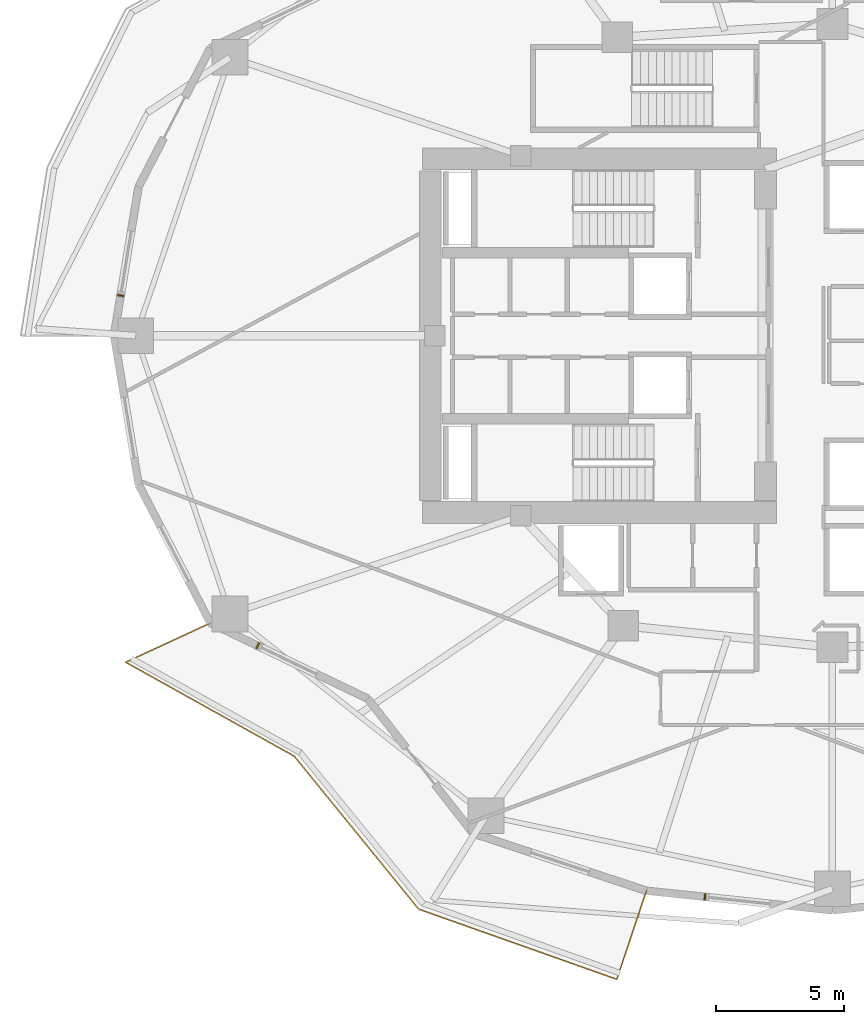
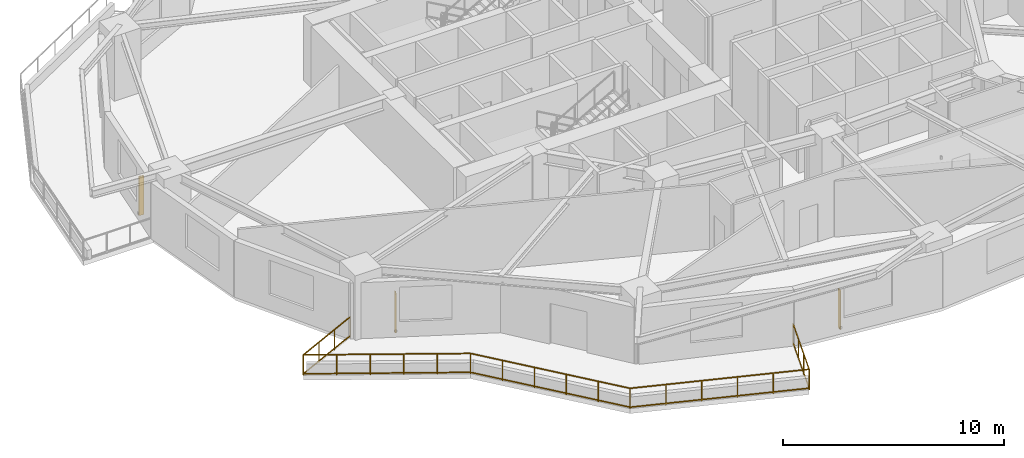
# One storey, part 12 of 16: 3 shading devices, 1 railing.
"""IFC4 building model written with IfcOpenShell, lengths in metres."""

from ifc_helpers import new_model, si_unit, direction, frame, origin, origin_2d, place, context, subcontext, project, spatial, rectangle, extrude, material, type_object, element, save


model = new_model("IFC4")

# Units and contexts
model_context = context("Model", 3, precision=1e-05, world=origin(), true_north=direction((0.0, 1.0)))
body_context = subcontext(model_context, "Body", "Model", "MODEL_VIEW")
ifc_project = project(units=[si_unit("LENGTHUNIT", "METRE"), si_unit("AREAUNIT", "SQUARE_METRE"), si_unit("VOLUMEUNIT", "CUBIC_METRE"), si_unit("PLANEANGLEUNIT", "RADIAN"), si_unit("MASSUNIT", "GRAM", prefix="KILO")], contexts=[model_context])

# Site, building, storey
site_placement = place(None, origin())
site = spatial("IfcSite", under=ifc_project, at=site_placement, CompositionType="ELEMENT")
building_placement = place(site_placement, origin())
building = spatial("IfcBuilding", under=site, at=building_placement, Name="Kolvaren Gate Tower and Convention Centre", CompositionType="ELEMENT")
storey_placement = place(building_placement, frame((0.0, 0.0, 34.199951171875)))
storey = spatial("IfcBuildingStorey", under=building, at=storey_placement, Name="L07", CompositionType="ELEMENT", Elevation=34.199951171875)

# Railing
ifc_material_1 = material(Name="Brushed Stainless Steel Grade 316L", Category="steel")
railing_type = type_object("IfcRailingType", Name="ARCH-RL-GUARD-1150", PredefinedType="GUARDRAIL", material=ifc_material_1)
railing_placement = place(storey_placement, frame((5.76806640625, 15.75, 0.0)))
element("IfcRailing", 1, at=railing_placement, inside=storey, type_object=railing_type, Name="Tower L07 Terrace Perimeter Guardrail GR-3", PredefinedType="GUARDRAIL", context=body_context, shape_type="SweptSolid", body=[
    extrude(rectangle(XDim=0.048095703125, YDim=0.048095703125, at=origin_2d()), frame((-0.025390625, -0.01171875, 1.1259765625), z_axis=(-0.907846116663, -0.419303503993, 0.0), x_axis=(0.419303503993, -0.907846116663, 0.0)), (0.0, 0.0, 1.0), 3.60400390625),
    extrude(rectangle(XDim=0.048095703125, YDim=0.048095703125, at=origin_2d()), frame((-0.025390625, -0.01171875, 0.083984375), z_axis=(-0.907846116663, -0.419303503993, 0.0), x_axis=(0.419303503993, -0.907846116663, 0.0)), (0.0, 0.0, 1.0), 3.60400390625),
    extrude(rectangle(XDim=0.048095703125, YDim=0.048095703125, at=origin_2d()), frame((-3.29833984375, -1.54833984375, 1.1259765625), z_axis=(0.873486390754, -0.486848564923, 0.0), x_axis=(0.486848564923, 0.873486390754, 0.0)), (0.0, 0.0, 1.0), 7.506103515625),
    extrude(rectangle(XDim=0.048095703125, YDim=0.048095703125, at=origin_2d()), frame((-3.29833984375, -1.54833984375, 0.083984375), z_axis=(0.873486390754, -0.486848564923, 0.0), x_axis=(0.486848564923, 0.873486390754, 0.0)), (0.0, 0.0, 1.0), 7.506103515625),
    extrude(rectangle(XDim=0.048095703125, YDim=0.048095703125, at=origin_2d()), frame((3.30029296875, -5.238037109375, 1.1259765625), z_axis=(0.631012936188, -0.775772308324, 0.0), x_axis=(0.775772308324, 0.631012936188, 0.0)), (0.0, 0.0, 1.0), 7.661376953125),
    extrude(rectangle(XDim=0.048095703125, YDim=0.048095703125, at=origin_2d()), frame((3.30029296875, -5.238037109375, 0.083984375), z_axis=(0.631012936188, -0.775772308324, 0.0), x_axis=(0.775772308324, 0.631012936188, 0.0)), (0.0, 0.0, 1.0), 7.661376953125),
    extrude(rectangle(XDim=0.048095703125, YDim=0.048095703125, at=origin_2d()), frame((8.178955078125, -11.212646484375, 1.1259765625), z_axis=(0.942581348797, -0.333976647237, 0.0), x_axis=(0.333976647237, 0.942581348797, 0.0)), (0.0, 0.0, 1.0), 8.179443359375),
    extrude(rectangle(XDim=0.048095703125, YDim=0.048095703125, at=origin_2d()), frame((8.178955078125, -11.212646484375, 0.083984375), z_axis=(0.942581348797, -0.333976647237, 0.0), x_axis=(0.333976647237, 0.942581348797, 0.0)), (0.0, 0.0, 1.0), 8.179443359375),
    extrude(rectangle(XDim=0.048095703125, YDim=0.048095703125, at=origin_2d()), frame((15.924072265625, -13.92724609375, 1.1259765625), z_axis=(0.317588247294, 0.948228719867, 0.0), x_axis=(-0.948228719867, 0.317588247294, 0.0)), (0.0, 0.0, 1.0), 3.603759765625),
    extrude(rectangle(XDim=0.048095703125, YDim=0.048095703125, at=origin_2d()), frame((15.924072265625, -13.92724609375, 0.083984375), z_axis=(0.317588247294, 0.948228719867, 0.0), x_axis=(-0.948228719867, 0.317588247294, 0.0)), (0.0, 0.0, 1.0), 3.603759765625),
    extrude(rectangle(XDim=0.0419921875, YDim=0.0419921875, at=origin_2d()), origin(), (0.0, 0.0, 1.0), 1.14990234375),
    extrude(rectangle(XDim=0.0419921875, YDim=0.0419921875, at=origin_2d()), frame((-3.32275390625, -1.53466796875, 0.0)), (0.0, 0.0, 1.0), 1.14990234375),
    extrude(rectangle(XDim=0.0419921875, YDim=0.0419921875, at=origin_2d()), frame((-1.107666015625, -0.511474609375, 0.0)), (0.0, 0.0, 1.0), 1.099853515625),
    extrude(rectangle(XDim=0.0419921875, YDim=0.0419921875, at=origin_2d()), frame((-2.215087890625, -1.023193359375, 0.0)), (0.0, 0.0, 1.0), 1.099853515625),
    extrude(rectangle(XDim=0.0419921875, YDim=0.0419921875, at=origin_2d()), frame((3.28271484375, -5.21630859375, 0.0)), (0.0, 0.0, 1.0), 1.14990234375),
    extrude(rectangle(XDim=0.0419921875, YDim=0.0419921875, at=origin_2d()), frame((-2.001708984375, -2.27099609375, 0.0)), (0.0, 0.0, 1.0), 1.099853515625),
    extrude(rectangle(XDim=0.0419921875, YDim=0.0419921875, at=origin_2d()), frame((-0.6806640625, -3.00732421875, 0.0)), (0.0, 0.0, 1.0), 1.099853515625),
    extrude(rectangle(XDim=0.0419921875, YDim=0.0419921875, at=origin_2d()), frame((0.640625, -3.74365234375, 0.0)), (0.0, 0.0, 1.0), 1.099853515625),
    extrude(rectangle(XDim=0.0419921875, YDim=0.0419921875, at=origin_2d()), frame((1.961669921875, -4.47998046875, 0.0)), (0.0, 0.0, 1.0), 1.099853515625),
    extrude(rectangle(XDim=0.0419921875, YDim=0.0419921875, at=origin_2d()), frame((8.152587890625, -11.203369140625, 0.0)), (0.0, 0.0, 1.0), 1.14990234375),
    extrude(rectangle(XDim=0.0419921875, YDim=0.0419921875, at=origin_2d()), frame((4.256591796875, -6.413818359375, 0.0)), (0.0, 0.0, 1.0), 1.099853515625),
    extrude(rectangle(XDim=0.0419921875, YDim=0.0419921875, at=origin_2d()), frame((5.230712890625, -7.611083984375, 0.0)), (0.0, 0.0, 1.0), 1.099853515625),
    extrude(rectangle(XDim=0.0419921875, YDim=0.0419921875, at=origin_2d()), frame((6.20458984375, -8.80859375, 0.0)), (0.0, 0.0, 1.0), 1.099853515625),
    extrude(rectangle(XDim=0.0419921875, YDim=0.0419921875, at=origin_2d()), frame((7.1787109375, -10.005859375, 0.0)), (0.0, 0.0, 1.0), 1.099853515625),
    extrude(rectangle(XDim=0.0419921875, YDim=0.0419921875, at=origin_2d()), frame((15.915283203125, -13.953857421875, 0.0)), (0.0, 0.0, 1.0), 1.14990234375),
    extrude(rectangle(XDim=0.0419921875, YDim=0.0419921875, at=origin_2d()), frame((9.705078125, -11.75341796875, 0.0)), (0.0, 0.0, 1.0), 1.099853515625),
    extrude(rectangle(XDim=0.0419921875, YDim=0.0419921875, at=origin_2d()), frame((11.257568359375, -12.303466796875, 0.0)), (0.0, 0.0, 1.0), 1.099853515625),
    extrude(rectangle(XDim=0.0419921875, YDim=0.0419921875, at=origin_2d()), frame((12.810302734375, -12.853759765625, 0.0)), (0.0, 0.0, 1.0), 1.099853515625),
    extrude(rectangle(XDim=0.0419921875, YDim=0.0419921875, at=origin_2d()), frame((14.36279296875, -13.40380859375, 0.0)), (0.0, 0.0, 1.0), 1.099853515625),
    extrude(rectangle(XDim=0.0419921875, YDim=0.0419921875, at=origin_2d()), frame((17.07763671875, -10.4833984375, 0.0)), (0.0, 0.0, 1.0), 1.14990234375),
    extrude(rectangle(XDim=0.0419921875, YDim=0.0419921875, at=origin_2d()), frame((16.302734375, -12.797119140625, 0.0)), (0.0, 0.0, 1.0), 1.099853515625),
    extrude(rectangle(XDim=0.0419921875, YDim=0.0419921875, at=origin_2d()), frame((16.690185546875, -11.64013671875, 0.0)), (0.0, 0.0, 1.0), 1.099853515625),
])

# Shading devices
ifc_material_2 = material(Name="Kiln-Fired Bogota Terracotta Ceramic Louvre Profile", Category="masonry")
shading_device_type = type_object("IfcShadingDeviceType", Name="ARCH-SHD-FIN-180", PredefinedType="JALOUSIE", material=ifc_material_2)
for number, where, z_axis, x_axis, name in (
    (2, (2.25830078125, 28.56982421875, 0.22021484375), (0.0, 0.0, 1.0), (0.162377123682, 0.986728772108, 0.0), "Ceramic Vertical Brise-Soleil Fin FN-L07-11"),
    (3, (7.625732421875, 14.857421875, 0.22021484375), (0.0, 0.0, 1.0), (0.90136443672, -0.433061372343, 0.0), "Ceramic Vertical Brise-Soleil Fin FN-L07-14"),
    (4, (25.133056640625, 5.02587890625, 0.22021484375), (0.0, 0.0, 1.0), (0.994498884311, -0.104747167526, 0.0), "Ceramic Vertical Brise-Soleil Fin FN-L07-17"),
):
    element("IfcShadingDevice", number, at=place(storey_placement, frame(where, z_axis=z_axis, x_axis=x_axis)), inside=storey, type_object=shading_device_type, Name=name, PredefinedType="JALOUSIE", context=body_context, shape_type="SweptSolid", body=[
        extrude(rectangle(XDim=0.06005859375, YDim=0.239990234375, at=origin_2d()), origin(), (0.0, 0.0, 1.0), 2.14990234375),
    ])

save(model, "model.ifc")
